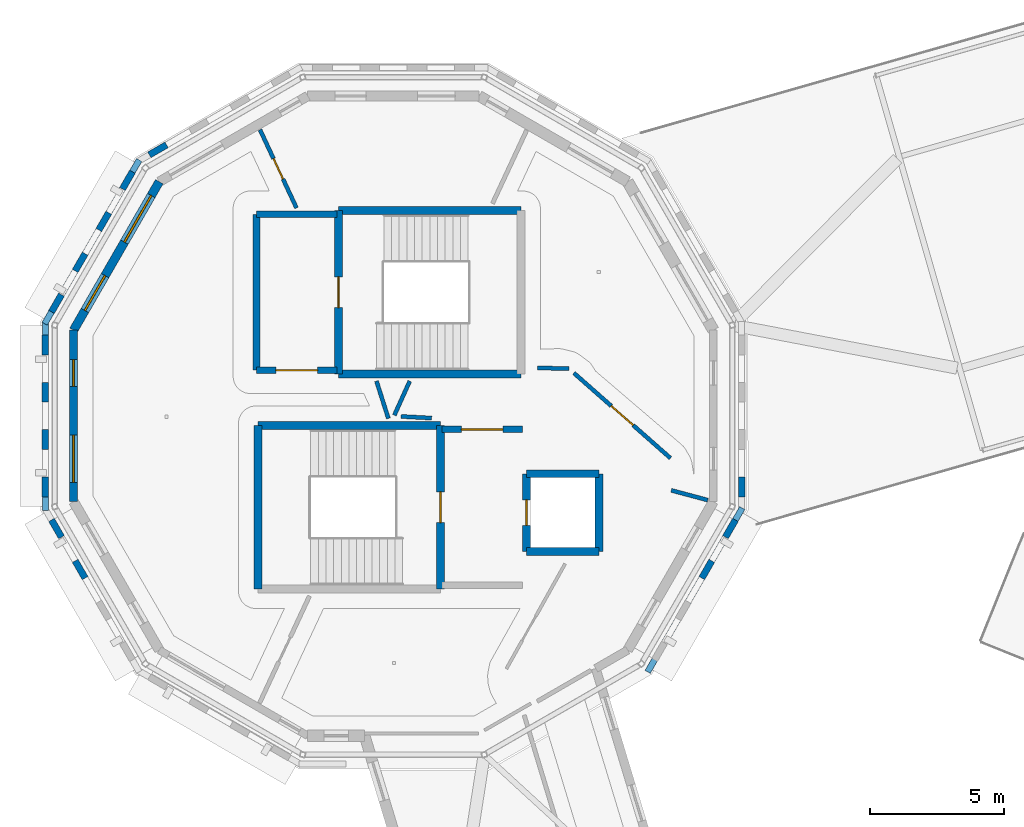
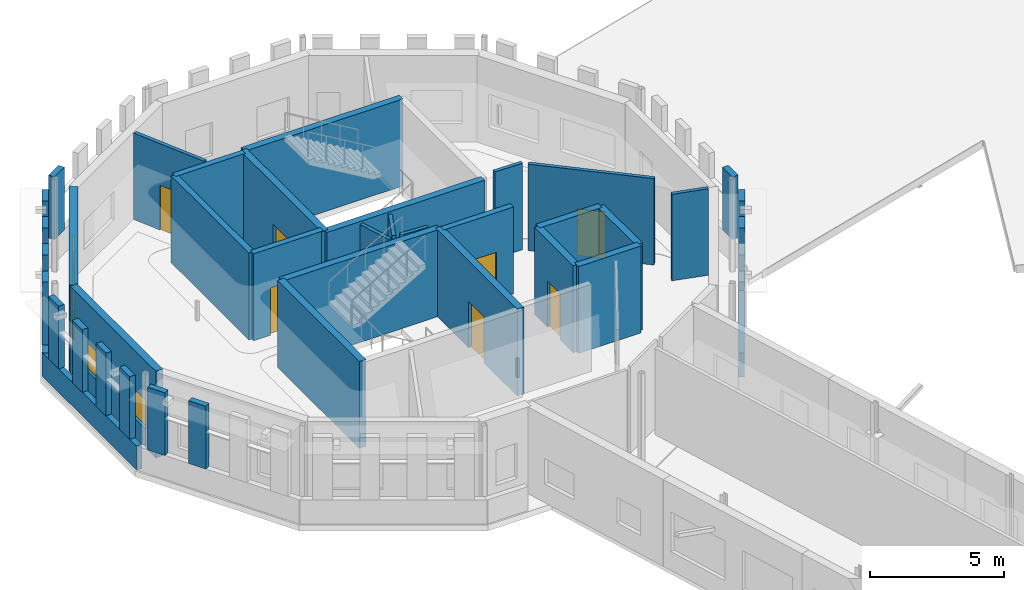
# One storey, part 57 of 90: 40 walls, 7 doors, 4 windows, 11 openings.
"""IFC4 building model written with IfcOpenShell, lengths in metres."""

import ifcopenshell
import ifcopenshell.guid

model = None  # the IFC model being written
_history = None  # IfcOwnerHistory: only IFC2X3 demands one
_inside = {}  # id of a spatial element -> (the spatial element, [elements in it])
_under = {}  # id of a project, library or spatial element -> (it, [spatial elements below it])
_declared = {}  # id of a project -> (the project, [libraries it declares])
_typed = {}  # id of a type object -> (the type object, [elements of that type])
_made_of = {}  # id of a material, layer set ... -> (it, [elements and type objects made of it])


def new_model(schema):
    """Start an empty IFC model of exactly this schema.

    Asked for "IFC4X3", IfcOpenShell would pick the latest addendum, in which some entities
    have other attributes; the version numbers below select the first issue.
    IFC2X3 requires an IfcOwnerHistory on every rooted entity: one is made here for all.
    """
    global model, _history
    if schema == "IFC4X3":
        model = ifcopenshell.file(schema_version=(4, 3, 0, 0))
    else:
        model = ifcopenshell.file(schema=schema)
    _inside.clear()
    _under.clear()
    _declared.clear()
    _typed.clear()
    _made_of.clear()
    _history = None
    if model.schema == "IFC2X3":
        org = make("IfcOrganization", Name="unknown")
        user = make(
            "IfcPersonAndOrganization",
            ThePerson=make("IfcPerson", FamilyName="unknown"),
            TheOrganization=org,
        )
        app = make(
            "IfcApplication",
            ApplicationDeveloper=org,
            Version="unknown",
            ApplicationFullName="unknown",
            ApplicationIdentifier="unknown",
        )
        _history = make(
            "IfcOwnerHistory",
            OwningUser=user,
            OwningApplication=app,
            ChangeAction="ADDED",
            CreationDate=0,
        )
    return model


def make(cls, **values):
    """One entity of the class cls with the attributes given. An attribute that is None is left unset."""
    return model.create_entity(
        cls, **{name: value for name, value in values.items() if value is not None}
    )


def rooted(cls, **values):
    """An entity with a GlobalId (a new one), such as an element, a storey or a relation."""
    return make(cls, GlobalId=ifcopenshell.guid.new(), OwnerHistory=_history, **values)


def si_unit(unit_type, name, prefix=None):
    """IfcSIUnit, for example si_unit("LENGTHUNIT", "METRE", prefix="MILLI")."""
    return make("IfcSIUnit", UnitType=unit_type, Prefix=prefix, Name=name)


def assignment(units):
    """IfcUnitAssignment: the units of a project."""
    return None if units is None else make("IfcUnitAssignment", Units=units)


def point(xyz):
    """IfcCartesianPoint."""
    return None if xyz is None else make("IfcCartesianPoint", Coordinates=xyz)


def direction(xyz):
    """IfcDirection."""
    return None if xyz is None else make("IfcDirection", DirectionRatios=xyz)


def frame(location, z_axis=None, x_axis=None):
    """IfcAxis2Placement3D, a coordinate frame: its origin and axes. An axis left out is left unset."""
    return make(
        "IfcAxis2Placement3D",
        Location=point(location),
        Axis=direction(z_axis),
        RefDirection=direction(x_axis),
    )


def frame_2d(location, x_axis=None):
    """IfcAxis2Placement2D, a coordinate frame in the plane: its origin and x axis."""
    return make(
        "IfcAxis2Placement2D", Location=point(location), RefDirection=direction(x_axis)
    )


def origin():
    """The frame at (0, 0, 0) with its axes left unset."""
    return frame((0.0, 0.0, 0.0))


def place(relative_to, where):
    """IfcLocalPlacement: puts the frame where relative to a parent placement (None: the world)."""
    return make(
        "IfcLocalPlacement", PlacementRelTo=relative_to, RelativePlacement=where
    )


def context(
    kind, dimensions, precision=None, world=None, true_north=None, identifier=None
):
    """IfcGeometricRepresentationContext, for example the 3D "Model" context."""
    return make(
        "IfcGeometricRepresentationContext",
        ContextIdentifier=identifier,
        ContextType=kind,
        CoordinateSpaceDimension=dimensions,
        Precision=precision,
        WorldCoordinateSystem=world,
        TrueNorth=true_north,
    )


def subcontext(parent, identifier, kind, view, scale=None):
    """IfcGeometricRepresentationSubContext, for example "Body" below "Model"."""
    return make(
        "IfcGeometricRepresentationSubContext",
        ContextIdentifier=identifier,
        ContextType=kind,
        ParentContext=parent,
        TargetScale=scale,
        TargetView=view,
    )


def project(units=None, contexts=None):
    """IfcProject with its units and contexts."""
    return rooted(
        "IfcProject",
        Name="project",
        RepresentationContexts=contexts,
        UnitsInContext=assignment(units),
    )


def spatial(cls, under=None, at=None, **own):
    """A site, building, storey or space (cls), placed at a placement, below another one or the project."""
    s = rooted(cls, ObjectPlacement=at, **own)
    if under is not None:
        _under.setdefault(under.id(), (under, []))[1].append(s)
    return s


def profile(cls, at=None, kind="AREA", **sizes):
    """A parametric profile (cls). Its sizes go by their IFC names, for example OverallWidth=200.0."""
    return make(cls, ProfileType=kind, Position=at, **sizes)


def rectangle(**sizes):
    """IfcRectangleProfileDef."""
    return profile("IfcRectangleProfileDef", **sizes)


def extrude(swept, where, along, depth):
    """IfcExtrudedAreaSolid: the profile swept, set in the frame where, extruded along a direction by depth."""
    return make(
        "IfcExtrudedAreaSolid",
        SweptArea=swept,
        Position=where,
        ExtrudedDirection=direction(along),
        Depth=depth,
    )


def shape(context_of_items, identifier, shape_type, items):
    """IfcShapeRepresentation: the items that make up one representation, for example the "Body"."""
    return make(
        "IfcShapeRepresentation",
        ContextOfItems=context_of_items,
        RepresentationIdentifier=identifier,
        RepresentationType=shape_type,
        Items=items,
    )


def material(Name=None, Category=None):
    """IfcMaterial."""
    return make("IfcMaterial", Name=Name, Category=Category)


def layer(
    of_material, thickness, ventilated=None, Name=None, Category=None, Priority=None
):
    """IfcMaterialLayer: one layer of a wall or slab, of a material (None: an air gap)."""
    return make(
        "IfcMaterialLayer",
        Material=of_material,
        LayerThickness=thickness,
        IsVentilated=ventilated,
        Name=Name,
        Category=Category,
        Priority=Priority,
    )


def layer_set(layers, Name=None):
    """IfcMaterialLayerSet."""
    return make("IfcMaterialLayerSet", MaterialLayers=layers, LayerSetName=Name)


def made_of(thing, what):
    """Note that an element or type object is made of a material, layer set ...; save() writes the relation."""
    if what is not None:
        _made_of.setdefault(what.id(), (what, []))[1].append(thing)
    return thing


def type_object(cls, material=None, **own):
    """A type object (cls), such as IfcWallType, which elements share."""
    return made_of(rooted(cls, **own), material)


def element(
    cls,
    number,
    at=None,
    inside=None,
    cuts=None,
    type_object=None,
    material=None,
    context=None,
    identifier="Body",
    shape_type=None,
    held_by="IfcProductDefinitionShape",
    body=None,
    shapes=None,
    **own,
):
    """One element of the class cls, such as IfcWall. Its Tag is "e" and its number.

    at: its placement. inside: the storey or other place that contains it. cuts: it is an
    opening in that element (IfcRelVoidsElement). A single representation is given by context,
    identifier, shape_type and body (its items); several are given by shapes. held_by: the class
    of the entity that holds the representations. save() writes the other relations.
    """
    e = rooted(cls, Tag="e%d" % number, ObjectPlacement=at, **own)
    if body is not None:
        shapes = [shape(context, identifier, shape_type, body)]
    if shapes is not None:
        e.Representation = make(held_by, Representations=shapes)
    if inside is not None:
        _inside.setdefault(inside.id(), (inside, []))[1].append(e)
    if cuts is not None:
        rooted(
            "IfcRelVoidsElement", RelatingBuildingElement=cuts, RelatedOpeningElement=e
        )
    if type_object is not None:
        _typed.setdefault(type_object.id(), (type_object, []))[1].append(e)
    return made_of(e, material)


def fill(opening, filler):
    """IfcRelFillsElement: the door or window that sits in an opening."""
    return rooted(
        "IfcRelFillsElement",
        RelatingOpeningElement=opening,
        RelatedBuildingElement=filler,
    )


def aggregate(whole, parts):
    """IfcRelAggregates: a whole, such as a stair, and the parts it consists of."""
    return rooted("IfcRelAggregates", RelatingObject=whole, RelatedObjects=parts)


def save(model, path):
    """Write the relations noted so far, then the file.

    IfcRelAggregates (storeys below a building ...), IfcRelContainedInSpatialStructure (elements
    in a storey), IfcRelDefinesByType, IfcRelAssociatesMaterial and IfcRelDeclares: one each for
    every whole, place, type object, material and project.
    """
    for whole, parts in _under.values():
        aggregate(whole, parts)
    for where, things in _inside.values():
        rooted(
            "IfcRelContainedInSpatialStructure",
            RelatedElements=things,
            RelatingStructure=where,
        )
    for kind, things in _typed.values():
        rooted("IfcRelDefinesByType", RelatedObjects=things, RelatingType=kind)
    for what, things in _made_of.values():
        rooted("IfcRelAssociatesMaterial", RelatedObjects=things, RelatingMaterial=what)
    for by, libraries in _declared.values():
        rooted("IfcRelDeclares", RelatingContext=by, RelatedDefinitions=libraries)
    model.write(path)


model = new_model("IFC4")

# Units and contexts
model_context = context("Model", 3, precision=1e-05, world=origin(), true_north=direction((0.0, 1.0)))
body_context = subcontext(model_context, "Body", "Model", "MODEL_VIEW")
ifc_project = project(units=[si_unit("LENGTHUNIT", "METRE"), si_unit("AREAUNIT", "SQUARE_METRE"), si_unit("VOLUMEUNIT", "CUBIC_METRE"), si_unit("PLANEANGLEUNIT", "RADIAN"), si_unit("MASSUNIT", "GRAM", prefix="KILO")], contexts=[model_context])

# Site, building, storey
site_placement = place(None, origin())
site = spatial("IfcSite", under=ifc_project, at=site_placement, CompositionType="ELEMENT")
building_placement = place(site_placement, origin())
building = spatial("IfcBuilding", under=site, at=building_placement, Name="Wrenclough Park School", CompositionType="ELEMENT")
storey_placement = place(building_placement, frame((0.0, 0.0, 8.39990234375)))
storey = spatial("IfcBuildingStorey", under=building, at=storey_placement, Name="L02", CompositionType="ELEMENT", Elevation=8.39990234375)

# Walls
ifc_material_1 = material(Name="Perforated open-bond Staffordshire and Manchester brick screen pier", Category="masonry")
ifc_layer_1 = layer(ifc_material_1, 0.2451171875)
ifc_layer_set_1 = layer_set([ifc_layer_1], Name="Perforated open-bond Staffordshire and Manchester brick screen pier")
wall_type_1 = type_object("IfcWallType", Name="ENV-BS-PR245", PredefinedType="ELEMENTEDWALL", material=ifc_layer_set_1)
for number, where, z_axis, x_axis, name in (
    (1, (8.055419921875, 99.58544921875, 1.090087890625), (0.0, 0.0, 1.0), (-0.866141586746, -0.499798711192, 0.0), "D3 L02 perforated brick screen pier 0520"),
    (2, (6.783935546875, 98.584716796875, 1.090087890625), (0.0, 0.0, 1.0), (-0.499798711192, -0.866141586746, 0.0), "D3 L02 perforated brick screen pier 0521"),
    (3, (5.904052734375, 97.060302734375, 1.090087890625), (0.0, 0.0, 1.0), (-0.500189527592, -0.865915952323, 0.0), "D3 L02 perforated brick screen pier 0522"),
):
    element("IfcWall", number, at=place(storey_placement, frame(where, z_axis=z_axis, x_axis=x_axis)), inside=storey, type_object=wall_type_1, Name=name, PredefinedType="ELEMENTEDWALL", context=body_context, shape_type="SweptSolid", body=[
        extrude(rectangle(XDim=0.739013671875, YDim=0.2451171875, at=frame_2d((0.36962890625, 0.0))), origin(), (0.0, 0.0, 1.0), 2.85009765625),
    ])
wall_1_placement = place(storey_placement, frame((5.02392578125, 95.5361328125, 1.090087890625), z_axis=(0.0, 0.0, 1.0), x_axis=(-0.499941746681, -0.866059033742, 0.0)))
element("IfcWall", 4, at=wall_1_placement, inside=storey, type_object=wall_type_1, Name="D3 L02 perforated brick screen pier 0523", PredefinedType="ELEMENTEDWALL", context=body_context, shape_type="SweptSolid", body=[
    extrude(rectangle(XDim=0.73876953125, YDim=0.2451171875, at=frame_2d((0.369384765625, 0.0))), origin(), (0.0, 0.0, 1.0), 2.85009765625),
])
for number, where, z_axis, x_axis, name in (
    (5, (4.14404296875, 94.011962890625, 1.090087890625), (0.0, 0.0, 1.0), (-0.500189527592, -0.865915952323, 0.0), "D3 L02 perforated brick screen pier 0524"),
    (6, (3.54345703125, 92.509521484375, 1.090087890625), (0.0, 0.0, 1.0), (0.0, -1.0, 0.0), "D3 L02 perforated brick screen pier 0525"),
    (7, (3.54345703125, 90.74951171875, 1.090087890625), (0.0, 0.0, 1.0), (0.0, -1.0, 0.0), "D3 L02 perforated brick screen pier 0526"),
    (8, (3.54345703125, 88.989501953125, 1.090087890625), (0.0, 0.0, 1.0), (0.0, -1.0, 0.0), "D3 L02 perforated brick screen pier 0527"),
    (9, (3.54345703125, 87.2294921875, 1.090087890625), (0.0, 0.0, 1.0), (0.0, -1.0, 0.0), "D3 L02 perforated brick screen pier 0528"),
    (10, (3.7744140625, 85.6279296875, 1.090087890625), (0.0, 0.0, 1.0), (0.500189527592, -0.865915952323, 0.0), "D3 L02 perforated brick screen pier 0529"),
):
    element("IfcWall", number, at=place(storey_placement, frame(where, z_axis=z_axis, x_axis=x_axis)), inside=storey, type_object=wall_type_1, Name=name, PredefinedType="ELEMENTEDWALL", context=body_context, shape_type="SweptSolid", body=[
        extrude(rectangle(XDim=0.739013671875, YDim=0.2451171875, at=frame_2d((0.36962890625, 0.0))), origin(), (0.0, 0.0, 1.0), 2.85009765625),
    ])
for number, where, z_axis, x_axis, name in (
    (11, (4.654541015625, 84.103759765625, 1.090087890625), (0.0, 0.0, 1.0), (0.499941746681, -0.866059033742, 0.0), "D3 L02 perforated brick screen pier 0530"),
    (12, (27.97607421875, 83.4638671875, 1.090087890625), (0.0, 0.0, 1.0), (0.499941746681, 0.866059033742, 0.0), "D3 L02 perforated brick screen pier 0539"),
):
    element("IfcWall", number, at=place(storey_placement, frame(where, z_axis=z_axis, x_axis=x_axis)), inside=storey, type_object=wall_type_1, Name=name, PredefinedType="ELEMENTEDWALL", context=body_context, shape_type="SweptSolid", body=[
        extrude(rectangle(XDim=0.73876953125, YDim=0.2451171875, at=frame_2d((0.369384765625, 0.0))), origin(), (0.0, 0.0, 1.0), 2.85009765625),
    ])
for number, where, z_axis, x_axis, name in (
    (13, (28.85595703125, 84.988037109375, 1.090087890625), (0.0, 0.0, 1.0), (0.500189527592, 0.865915952323, 0.0), "D3 L02 perforated brick screen pier 0540"),
    (14, (29.45654296875, 86.490478515625, 1.090087890625), (0.0, 0.0, 1.0), (0.0, 1.0, 0.0), "D3 L02 perforated brick screen pier 0541"),
):
    element("IfcWall", number, at=place(storey_placement, frame(where, z_axis=z_axis, x_axis=x_axis)), inside=storey, type_object=wall_type_1, Name=name, PredefinedType="ELEMENTEDWALL", context=body_context, shape_type="SweptSolid", body=[
        extrude(rectangle(XDim=0.739013671875, YDim=0.2451171875, at=frame_2d((0.36962890625, 0.0))), origin(), (0.0, 0.0, 1.0), 2.85009765625),
    ])
ifc_material_2 = material(Name="Open-bond Manchester multi-stock brick spandrel screen", Category="masonry")
ifc_layer_2 = layer(ifc_material_2, 0.22509765625)
ifc_layer_set_2 = layer_set([ifc_layer_2], Name="Open-bond Manchester multi-stock brick spandrel screen")
wall_type_2 = type_object("IfcWallType", Name="ENV-BS-SP225", PredefinedType="ELEMENTEDWALL", material=ifc_layer_set_2)
wall_2_placement = place(storey_placement, frame((7.039306640625, 99.026611328125, 0.0), z_axis=(0.0, 0.0, 1.0), x_axis=(-0.500010639957, -0.866019260715, 0.0)))
element("IfcWall", 15, at=wall_2_placement, inside=storey, type_object=wall_type_2, Name="D3 L02 open-bond brick screen spandrel 0141", PredefinedType="ELEMENTEDWALL", context=body_context, shape_type="SweptSolid", body=[
    extrude(rectangle(XDim=7.039794921875, YDim=0.22509765625, at=frame_2d((3.52001953125, 0.0))), origin(), (0.0, 0.0, 1.0), 1.090087890625),
])
wall_3_placement = place(storey_placement, frame((3.54345703125, 93.02001953125, 0.0), z_axis=(0.0, 0.0, 1.0), x_axis=(0.0, -1.0, 0.0)))
element("IfcWall", 16, at=wall_3_placement, inside=storey, type_object=wall_type_2, Name="D3 L02 open-bond brick screen spandrel 0142", PredefinedType="ELEMENTEDWALL", context=body_context, shape_type="SweptSolid", body=[
    extrude(rectangle(XDim=7.0400390625, YDim=0.22509765625, at=frame_2d((3.52001953125, 0.0))), origin(), (0.0, 0.0, 1.0), 1.090087890625),
])
wall_4_placement = place(storey_placement, frame((25.960693359375, 79.973388671875, 0.0), z_axis=(0.0, 0.0, 1.0), x_axis=(0.500010639957, 0.866019260715, 0.0)))
element("IfcWall", 17, at=wall_4_placement, inside=storey, type_object=wall_type_2, Name="D3 L02 open-bond brick screen spandrel 0146", PredefinedType="ELEMENTEDWALL", context=body_context, shape_type="SweptSolid", body=[
    extrude(rectangle(XDim=7.039794921875, YDim=0.22509765625, at=frame_2d((3.52001953125, 0.0))), origin(), (0.0, 0.0, 1.0), 1.090087890625),
])

# Wall, openings, windows
ifc_material_3 = material(Name="Manchester multi-stock brick and Concrete C32/40 inner leaf", Category="masonry")
ifc_layer_3 = layer(ifc_material_3, 0.300048828125)
ifc_layer_set_3 = layer_set([ifc_layer_3], Name="Manchester multi-stock brick and Concrete C32/40 inner leaf")
wall_type_3 = type_object("IfcWallType", Name="ENV-EW-300", PredefinedType="SOLIDWALL", material=ifc_layer_set_3)
wall_5_placement = place(storey_placement, frame((4.59423828125, 86.309814453125, 0.0), z_axis=(0.0, 0.0, 1.0), x_axis=(0.0, 1.0, 0.0)))
wall_5 = element("IfcWall", 18, at=wall_5_placement, inside=storey, type_object=wall_type_3, Name="L02 insulated brick external wall 0232", PredefinedType="SOLIDWALL", context=body_context, shape_type="SweptSolid", body=[
    extrude(rectangle(XDim=6.38037109375, YDim=0.300048828125, at=frame_2d((3.190185546875, 0.0))), origin(), (0.0, 0.0, 1.0), 3.940185546875),
])
opening_1_placement = place(wall_5_placement, frame((0.72021484375, 0.0, 0.85009765625)))
opening_1 = element("IfcOpeningElement", 19, at=opening_1_placement, cuts=wall_5, Name="Opening WN-44", PredefinedType="OPENING", context=body_context, shape_type="SweptSolid", body=[
    extrude(rectangle(XDim=1.75, YDim=1.300048828125, at=frame_2d((0.875, 0.64990234375))), frame((0.0, 0.159912109375, 0.0), z_axis=(0.0, -1.0, 0.0), x_axis=(1.0, 0.0, 0.0)), (0.0, 0.0, 1.0), 0.320068359375),
])
opening_2_placement = place(wall_5_placement, frame((4.285400390625, 0.0, 0.85009765625)))
opening_2 = element("IfcOpeningElement", 20, at=opening_2_placement, cuts=wall_5, Name="Opening WN-45", PredefinedType="OPENING", context=body_context, shape_type="SweptSolid", body=[
    extrude(rectangle(XDim=1.0, YDim=1.300048828125, at=frame_2d((0.5, 0.64990234375))), frame((0.0, 0.159912109375, 0.0), z_axis=(0.0, -1.0, 0.0), x_axis=(1.0, 0.0, 0.0)), (0.0, 0.0, 1.0), 0.320068359375),
])
ifc_material_4 = material(Name="Thermally broken aluminium and double-glazed low-e glass", Category="aluminium")
window_type_1 = type_object("IfcWindowType", Name="ENV-WN-44", PartitioningType="DOUBLE_PANEL_VERTICAL", PredefinedType="WINDOW", material=ifc_material_4)
window_1_placement = place(opening_1_placement, origin())
window_1 = element("IfcWindow", 21, at=window_1_placement, inside=storey, type_object=window_type_1, Name="L02 scheduled facade window 0379", OverallHeight=1.300048828125, OverallWidth=1.75, PartitioningType="SINGLE_PANEL", PredefinedType="WINDOW", context=body_context, shape_type="SweptSolid", body=[
    extrude(rectangle(XDim=1.75, YDim=1.300048828125, at=frame_2d((0.875, 0.64990234375))), frame((0.0, 0.030029296875, 0.0), z_axis=(0.0, -1.0, 0.0), x_axis=(1.0, 0.0, 0.0)), (0.0, 0.0, 1.0), 0.06005859375),
])
fill(opening_1, window_1)
window_type_2 = type_object("IfcWindowType", Name="ENV-WN-45", PartitioningType="SINGLE_PANEL", PredefinedType="WINDOW", material=ifc_material_4)
window_2_placement = place(opening_2_placement, origin())
window_2 = element("IfcWindow", 22, at=window_2_placement, inside=storey, type_object=window_type_2, Name="L02 scheduled facade window 0380", OverallHeight=1.300048828125, OverallWidth=1.0, PartitioningType="SINGLE_PANEL", PredefinedType="WINDOW", context=body_context, shape_type="SweptSolid", body=[
    extrude(rectangle(XDim=1.0, YDim=1.300048828125, at=frame_2d((0.5, 0.64990234375))), frame((0.0, 0.030029296875, 0.0), z_axis=(0.0, -1.0, 0.0), x_axis=(1.0, 0.0, 0.0)), (0.0, 0.0, 1.0), 0.06005859375),
])
fill(opening_2, window_2)

ifc_layer_4 = layer(ifc_material_3, 0.324951171875)
ifc_layer_set_4 = layer_set([ifc_layer_4], Name="Manchester multi-stock brick and Concrete C32/40 inner leaf")
wall_type_4 = type_object("IfcWallType", Name="ENV-EW-325", PredefinedType="SOLIDWALL", material=ifc_layer_set_4)
wall_6_placement = place(storey_placement, frame((4.59423828125, 92.690185546875, 0.0), z_axis=(0.0, 0.0, 1.0), x_axis=(0.499966461314, 0.866044766488, 0.0)))
wall_6 = element("IfcWall", 23, at=wall_6_placement, inside=storey, type_object=wall_type_4, Name="L02 insulated brick external wall 0233", PredefinedType="SOLIDWALL", context=body_context, shape_type="SweptSolid", body=[
    extrude(rectangle(XDim=6.38037109375, YDim=0.324951171875, at=frame_2d((3.190185546875, 0.0))), origin(), (0.0, 0.0, 1.0), 3.940185546875),
])
opening_3_placement = place(wall_6_placement, frame((0.84521484375, 0.0, 0.85009765625)))
opening_3 = element("IfcOpeningElement", 24, at=opening_3_placement, cuts=wall_6, Name="Opening WN-46", PredefinedType="OPENING", context=body_context, shape_type="SweptSolid", body=[
    extrude(rectangle(XDim=1.5, YDim=1.300048828125, at=frame_2d((0.75, 0.64990234375))), frame((0.0, 0.17236328125, 0.0), z_axis=(0.0, -1.0, 0.0), x_axis=(1.0, 0.0, 0.0)), (0.0, 0.0, 1.0), 0.344970703125),
])
opening_4_placement = place(wall_6_placement, frame((3.78515625, 0.0, 0.85009765625)))
opening_4 = element("IfcOpeningElement", 25, at=opening_4_placement, cuts=wall_6, Name="Opening WN-47", PredefinedType="OPENING", context=body_context, shape_type="SweptSolid", body=[
    extrude(rectangle(XDim=2.0, YDim=1.300048828125, at=frame_2d((1.0, 0.64990234375))), frame((0.0, 0.17236328125, 0.0), z_axis=(0.0, -1.0, 0.0), x_axis=(1.0, 0.0, 0.0)), (0.0, 0.0, 1.0), 0.344970703125),
])
window_type_3 = type_object("IfcWindowType", Name="ENV-WN-46", PartitioningType="DOUBLE_PANEL_VERTICAL", PredefinedType="WINDOW", material=ifc_material_4)
window_3_placement = place(opening_3_placement, origin())
window_3 = element("IfcWindow", 26, at=window_3_placement, inside=storey, type_object=window_type_3, Name="L02 scheduled facade window 0381", OverallHeight=1.300048828125, OverallWidth=1.5, PartitioningType="SINGLE_PANEL", PredefinedType="WINDOW", context=body_context, shape_type="SweptSolid", body=[
    extrude(rectangle(XDim=1.5, YDim=1.300048828125, at=frame_2d((0.75, 0.64990234375))), frame((0.0, 0.030029296875, 0.0), z_axis=(0.0, -1.0, 0.0), x_axis=(1.0, 0.0, 0.0)), (0.0, 0.0, 1.0), 0.06005859375),
])
fill(opening_3, window_3)
window_type_4 = type_object("IfcWindowType", Name="ENV-WN-47", PartitioningType="DOUBLE_PANEL_VERTICAL", PredefinedType="WINDOW", material=ifc_material_4)
window_4_placement = place(opening_4_placement, origin())
window_4 = element("IfcWindow", 27, at=window_4_placement, inside=storey, type_object=window_type_4, Name="L02 scheduled facade window 0382", OverallHeight=1.300048828125, OverallWidth=2.0, PartitioningType="SINGLE_PANEL", PredefinedType="WINDOW", context=body_context, shape_type="SweptSolid", body=[
    extrude(rectangle(XDim=2.0, YDim=1.300048828125, at=frame_2d((1.0, 0.64990234375))), frame((0.0, 0.030029296875, 0.0), z_axis=(0.0, -1.0, 0.0), x_axis=(1.0, 0.0, 0.0)), (0.0, 0.0, 1.0), 0.06005859375),
])
fill(opening_4, window_4)

# Wall, opening, door
ifc_material_5 = material(Name="Concrete C35/45", Category="concrete")
ifc_layer_5 = layer(ifc_material_5, 0.25)
ifc_layer_set_5 = layer_set([ifc_layer_5], Name="Concrete C35/45")
wall_type_5 = type_object("IfcWallType", Name="INT-CW-250", PredefinedType="SHEAR", material=ifc_layer_set_5)
wall_7_placement = place(storey_placement, frame((21.300048828125, 89.0, 0.0), z_axis=(0.0, 0.0, 1.0), x_axis=(-1.0, 0.0, 0.0)))
wall_7 = element("IfcWall", 28, at=wall_7_placement, inside=storey, type_object=wall_type_5, Name="Core C3 L02 lobby fire wall north", PredefinedType="SHEAR", context=body_context, shape_type="SweptSolid", body=[
    extrude(rectangle(XDim=3.0, YDim=0.25, at=frame_2d((1.5, 0.0))), origin(), (0.0, 0.0, 1.0), 3.9501953125),
])
opening_5_placement = place(wall_7_placement, frame((0.72509765625, 0.0, 0.0)))
opening_5 = element("IfcOpeningElement", 29, at=opening_5_placement, cuts=wall_7, Name="Opening DLB-C3-L02", PredefinedType="OPENING", context=body_context, shape_type="SweptSolid", body=[
    extrude(rectangle(XDim=1.550048828125, YDim=2.14990234375, at=frame_2d((0.77490234375, 1.074951171875))), frame((0.0, 0.135009765625, 0.0), z_axis=(0.0, -1.0, 0.0), x_axis=(1.0, 0.0, 0.0)), (0.0, 0.0, 1.0), 0.27001953125),
])
ifc_material_6 = material(Name="Protected stair lobby double fire door assembly", Category="wood")
door_type_1 = type_object("IfcDoorType", Name="INT-DR-LB155", OperationType="NOTDEFINED", PredefinedType="DOOR", material=ifc_material_6)
door_1_placement = place(opening_5_placement, origin())
door_1 = element("IfcDoor", 30, at=door_1_placement, inside=storey, type_object=door_type_1, Name="Core C3 L02 protected lobby fire door", OperationType="DOUBLE_DOOR_SINGLE_SWING", OverallHeight=2.14990234375, OverallWidth=1.550048828125, PredefinedType="DOOR", context=body_context, shape_type="SweptSolid", body=[
    extrude(rectangle(XDim=1.550048828125, YDim=2.14990234375, at=frame_2d((0.77490234375, 1.074951171875))), frame((0.0, 0.02490234375, 0.0), z_axis=(0.0, -1.0, 0.0), x_axis=(1.0, 0.0, 0.0)), (0.0, 0.0, 1.0), 0.050048828125),
])
fill(opening_5, door_1)

wall_8_placement = place(storey_placement, frame((11.39990234375, 91.199951171875, 0.0), z_axis=(0.0, 0.0, 1.0), x_axis=(1.0, 0.0, 0.0)))
wall_8 = element("IfcWall", 31, at=wall_8_placement, inside=storey, type_object=wall_type_5, Name="Core C3B L02 lobby fire wall south", PredefinedType="SHEAR", context=body_context, shape_type="SweptSolid", body=[
    extrude(rectangle(XDim=3.0, YDim=0.25, at=frame_2d((1.5, 0.0))), origin(), (0.0, 0.0, 1.0), 3.9501953125),
])
opening_6_placement = place(wall_8_placement, frame((0.72509765625, 0.0, 0.0)))
opening_6 = element("IfcOpeningElement", 32, at=opening_6_placement, cuts=wall_8, Name="Opening DLB-C3B-L02", PredefinedType="OPENING", context=body_context, shape_type="SweptSolid", body=[
    extrude(rectangle(XDim=1.550048828125, YDim=2.14990234375, at=frame_2d((0.77490234375, 1.074951171875))), frame((0.0, 0.135009765625, 0.0), z_axis=(0.0, -1.0, 0.0), x_axis=(1.0, 0.0, 0.0)), (0.0, 0.0, 1.0), 0.27001953125),
])
door_2_placement = place(opening_6_placement, origin())
door_2 = element("IfcDoor", 33, at=door_2_placement, inside=storey, type_object=door_type_1, Name="Core C3B L02 protected lobby fire door", OperationType="DOUBLE_DOOR_SINGLE_SWING", OverallHeight=2.14990234375, OverallWidth=1.550048828125, PredefinedType="DOOR", context=body_context, shape_type="SweptSolid", body=[
    extrude(rectangle(XDim=1.550048828125, YDim=2.14990234375, at=frame_2d((0.77490234375, 1.074951171875))), frame((0.0, 0.02490234375, 0.0), z_axis=(0.0, -1.0, 0.0), x_axis=(1.0, 0.0, 0.0)), (0.0, 0.0, 1.0), 0.050048828125),
])
fill(opening_6, door_2)

# Walls
wall_9_placement = place(storey_placement, frame((14.39990234375, 97.0, 0.0), z_axis=(0.0, 0.0, 1.0), x_axis=(-1.0, 0.0, 0.0)))
element("IfcWall", 34, at=wall_9_placement, inside=storey, type_object=wall_type_5, Name="Core C3B L02 lobby fire wall north", PredefinedType="SHEAR", context=body_context, shape_type="SweptSolid", body=[
    extrude(rectangle(XDim=3.0, YDim=0.25, at=frame_2d((1.5, 0.0))), origin(), (0.0, 0.0, 1.0), 3.9501953125),
])
wall_10_placement = place(storey_placement, frame((11.39990234375, 97.0, 0.0), z_axis=(0.0, 0.0, 1.0), x_axis=(0.0, -1.0, 0.0)))
element("IfcWall", 35, at=wall_10_placement, inside=storey, type_object=wall_type_5, Name="Core C3B L02 lobby fire wall west", PredefinedType="SHEAR", context=body_context, shape_type="SweptSolid", body=[
    extrude(rectangle(XDim=5.800048828125, YDim=0.25, at=frame_2d((2.89990234375, 0.0))), origin(), (0.0, 0.0, 1.0), 3.9501953125),
])

# Wall, opening, door
ifc_material_7 = material(Name="Concrete C40/50", Category="concrete")
ifc_layer_6 = layer(ifc_material_7, 0.2900390625)
ifc_layer_set_6 = layer_set([ifc_layer_6], Name="Concrete C40/50")
wall_type_6 = type_object("IfcWallType", Name="INT-CW-290", PredefinedType="SHEAR", material=ifc_layer_set_6)
wall_11_placement = place(storey_placement, frame((18.2451171875, 83.054931640625, 0.0), z_axis=(0.0, 0.0, 1.0), x_axis=(0.0, 1.0, 0.0)))
wall_11 = element("IfcWall", 36, at=wall_11_placement, inside=storey, type_object=wall_type_6, Name="Core C3 L02 east shear wall", PredefinedType="SHEAR", context=body_context, shape_type="SweptSolid", body=[
    extrude(rectangle(XDim=6.090087890625, YDim=0.2900390625, at=frame_2d((3.044921875, 0.0))), origin(), (0.0, 0.0, 1.0), 3.9501953125),
])
opening_7_placement = place(wall_11_placement, frame((2.469970703125, 0.0, 0.0)))
opening_7 = element("IfcOpeningElement", 37, at=opening_7_placement, cuts=wall_11, Name="Opening DST-C3-L02", PredefinedType="OPENING", context=body_context, shape_type="SweptSolid", body=[
    extrude(rectangle(XDim=1.14990234375, YDim=2.10009765625, at=frame_2d((0.574951171875, 1.050048828125))), frame((0.0, 0.155029296875, 0.0), z_axis=(0.0, -1.0, 0.0), x_axis=(1.0, 0.0, 0.0)), (0.0, 0.0, 1.0), 0.31005859375),
])
ifc_material_8 = material(Name="Protected escape stair single fire door assembly", Category="wood")
door_type_2 = type_object("IfcDoorType", Name="INT-DR-ST115", OperationType="NOTDEFINED", PredefinedType="DOOR", material=ifc_material_8)
door_3_placement = place(opening_7_placement, origin())
door_3 = element("IfcDoor", 38, at=door_3_placement, inside=storey, type_object=door_type_2, Name="Stair ST-03 L02 fire door", OperationType="SINGLE_SWING_LEFT", OverallHeight=2.10009765625, OverallWidth=1.14990234375, PredefinedType="DOOR", context=body_context, shape_type="SweptSolid", body=[
    extrude(rectangle(XDim=1.14990234375, YDim=2.10009765625, at=frame_2d((0.574951171875, 1.050048828125))), frame((0.0, 0.02490234375, 0.0), z_axis=(0.0, -1.0, 0.0), x_axis=(1.0, 0.0, 0.0)), (0.0, 0.0, 1.0), 0.050048828125),
])
fill(opening_7, door_3)

# Walls
wall_12_placement = place(storey_placement, frame((18.2451171875, 89.14501953125, 0.0), z_axis=(0.0, 0.0, 1.0), x_axis=(-1.0, 0.0, 0.0)))
element("IfcWall", 39, at=wall_12_placement, inside=storey, type_object=wall_type_6, Name="Core C3 L02 north shear wall", PredefinedType="SHEAR", context=body_context, shape_type="SweptSolid", body=[
    extrude(rectangle(XDim=6.7900390625, YDim=0.2900390625, at=frame_2d((3.39501953125, 0.0))), origin(), (0.0, 0.0, 1.0), 3.9501953125),
])
wall_13_placement = place(storey_placement, frame((11.455078125, 89.14501953125, 0.0), z_axis=(0.0, 0.0, 1.0), x_axis=(0.0, -1.0, 0.0)))
element("IfcWall", 40, at=wall_13_placement, inside=storey, type_object=wall_type_6, Name="Core C3 L02 west shear wall", PredefinedType="SHEAR", context=body_context, shape_type="SweptSolid", body=[
    extrude(rectangle(XDim=6.090087890625, YDim=0.2900390625, at=frame_2d((3.044921875, 0.0))), origin(), (0.0, 0.0, 1.0), 3.9501953125),
])
wall_14_placement = place(storey_placement, frame((21.455078125, 84.455078125, 0.0), z_axis=(0.0, 0.0, 1.0), x_axis=(1.0, 0.0, 0.0)))
element("IfcWall", 41, at=wall_14_placement, inside=storey, type_object=wall_type_6, Name="Lift LFT-05 L02 south shaft wall", PredefinedType="SHEAR", context=body_context, shape_type="SweptSolid", body=[
    extrude(rectangle(XDim=2.68994140625, YDim=0.2900390625, at=frame_2d((1.344970703125, 0.0))), origin(), (0.0, 0.0, 1.0), 3.9501953125),
])
wall_15_placement = place(storey_placement, frame((24.14501953125, 84.455078125, 0.0), z_axis=(0.0, 0.0, 1.0), x_axis=(0.0, 1.0, 0.0)))
element("IfcWall", 42, at=wall_15_placement, inside=storey, type_object=wall_type_6, Name="Lift LFT-05 L02 east shaft wall", PredefinedType="SHEAR", context=body_context, shape_type="SweptSolid", body=[
    extrude(rectangle(XDim=2.889892578125, YDim=0.2900390625, at=frame_2d((1.44482421875, 0.0))), origin(), (0.0, 0.0, 1.0), 3.9501953125),
])
wall_16_placement = place(storey_placement, frame((24.14501953125, 87.344970703125, 0.0), z_axis=(0.0, 0.0, 1.0), x_axis=(-1.0, 0.0, 0.0)))
element("IfcWall", 43, at=wall_16_placement, inside=storey, type_object=wall_type_6, Name="Lift LFT-05 L02 north shaft wall", PredefinedType="SHEAR", context=body_context, shape_type="SweptSolid", body=[
    extrude(rectangle(XDim=2.68994140625, YDim=0.2900390625, at=frame_2d((1.344970703125, 0.0))), origin(), (0.0, 0.0, 1.0), 3.9501953125),
])

# Wall, opening, door
wall_17_placement = place(storey_placement, frame((21.455078125, 87.344970703125, 0.0), z_axis=(0.0, 0.0, 1.0), x_axis=(0.0, -1.0, 0.0)))
wall_17 = element("IfcWall", 44, at=wall_17_placement, inside=storey, type_object=wall_type_6, Name="Lift LFT-05 L02 west shaft wall", PredefinedType="SHEAR", context=body_context, shape_type="SweptSolid", body=[
    extrude(rectangle(XDim=2.889892578125, YDim=0.2900390625, at=frame_2d((1.44482421875, 0.0))), origin(), (0.0, 0.0, 1.0), 3.9501953125),
])
opening_8_placement = place(wall_17_placement, frame((0.969970703125, 0.0, 0.0)))
opening_8 = element("IfcOpeningElement", 45, at=opening_8_placement, cuts=wall_17, Name="Opening LD-05-L02", PredefinedType="OPENING", context=body_context, shape_type="SweptSolid", body=[
    extrude(rectangle(XDim=0.949951171875, YDim=2.10009765625, at=frame_2d((0.47509765625, 1.050048828125))), frame((0.0, 0.155029296875, 0.0), z_axis=(0.0, -1.0, 0.0), x_axis=(1.0, 0.0, 0.0)), (0.0, 0.0, 1.0), 0.31005859375),
])
ifc_material_9 = material(Name="Brushed stainless steel", Category="steel")
door_type_3 = type_object("IfcDoorType", Name="INT-DR-LD095", OperationType="NOTDEFINED", PredefinedType="DOOR", material=ifc_material_9)
door_4_placement = place(opening_8_placement, frame((0.949951171875, 0.0, 0.0), z_axis=(0.0, 0.0, 1.0), x_axis=(-1.0, 0.0, 0.0)))
door_4 = element("IfcDoor", 46, at=door_4_placement, inside=storey, type_object=door_type_3, Name="Lift LFT-05 L02 sliding landing door", OperationType="SLIDING_TO_LEFT", OverallHeight=2.10009765625, OverallWidth=0.949951171875, PredefinedType="DOOR", context=body_context, shape_type="SweptSolid", body=[
    extrude(rectangle(XDim=0.949951171875, YDim=2.10009765625, at=frame_2d((0.47509765625, 1.050048828125))), frame((0.0, 0.02490234375, 0.0), z_axis=(0.0, -1.0, 0.0), x_axis=(1.0, 0.0, 0.0)), (0.0, 0.0, 1.0), 0.050048828125),
])
fill(opening_8, door_4)

# Walls
for number, where, z_axis, x_axis, name in (
    (47, (14.455078125, 91.054931640625, 0.0), (0.0, 0.0, 1.0), (1.0, 0.0, 0.0), "Core C3B L02 south shear wall"),
    (48, (21.2451171875, 97.14501953125, 0.0), (0.0, 0.0, 1.0), (-1.0, 0.0, 0.0), "Core C3B L02 north shear wall"),
):
    element("IfcWall", number, at=place(storey_placement, frame(where, z_axis=z_axis, x_axis=x_axis)), inside=storey, type_object=wall_type_6, Name=name, PredefinedType="SHEAR", context=body_context, shape_type="SweptSolid", body=[
        extrude(rectangle(XDim=6.7900390625, YDim=0.2900390625, at=frame_2d((3.39501953125, 0.0))), origin(), (0.0, 0.0, 1.0), 3.9501953125),
    ])

# Wall, opening, door
wall_18_placement = place(storey_placement, frame((14.455078125, 97.14501953125, 0.0), z_axis=(0.0, 0.0, 1.0), x_axis=(0.0, -1.0, 0.0)))
wall_18 = element("IfcWall", 49, at=wall_18_placement, inside=storey, type_object=wall_type_6, Name="Core C3B L02 west shear wall", PredefinedType="SHEAR", context=body_context, shape_type="SweptSolid", body=[
    extrude(rectangle(XDim=6.090087890625, YDim=0.2900390625, at=frame_2d((3.044921875, 0.0))), origin(), (0.0, 0.0, 1.0), 3.9501953125),
])
opening_9_placement = place(wall_18_placement, frame((2.469970703125, 0.0, 0.0)))
opening_9 = element("IfcOpeningElement", 50, at=opening_9_placement, cuts=wall_18, Name="Opening DST-C3B-L02", PredefinedType="OPENING", context=body_context, shape_type="SweptSolid", body=[
    extrude(rectangle(XDim=1.14990234375, YDim=2.10009765625, at=frame_2d((0.574951171875, 1.050048828125))), frame((0.0, 0.155029296875, 0.0), z_axis=(0.0, -1.0, 0.0), x_axis=(1.0, 0.0, 0.0)), (0.0, 0.0, 1.0), 0.31005859375),
])
door_5_placement = place(opening_9_placement, origin())
door_5 = element("IfcDoor", 51, at=door_5_placement, inside=storey, type_object=door_type_2, Name="Stair ST-07 L02 fire door", OperationType="SINGLE_SWING_LEFT", OverallHeight=2.10009765625, OverallWidth=1.14990234375, PredefinedType="DOOR", context=body_context, shape_type="SweptSolid", body=[
    extrude(rectangle(XDim=1.14990234375, YDim=2.10009765625, at=frame_2d((0.574951171875, 1.050048828125))), frame((0.0, 0.02490234375, 0.0), z_axis=(0.0, -1.0, 0.0), x_axis=(1.0, 0.0, 0.0)), (0.0, 0.0, 1.0), 0.050048828125),
])
fill(opening_9, door_5)

# Wall
ifc_material_10 = material(Name="Protected corridor partition", Category="gypsum")
ifc_layer_7 = layer(ifc_material_10, 0.14990234375)
ifc_layer_set_7 = layer_set([ifc_layer_7], Name="Protected corridor partition")
wall_type_7 = type_object("IfcWallType", Name="INT-PW-150", PredefinedType="PARTITIONING", material=ifc_layer_set_7)
wall_19_placement = place(storey_placement, frame((16.310546875, 89.405029296875, 0.0), z_axis=(0.0, 0.0, 1.0), x_axis=(-0.302989456207, 0.95299390839, 0.0)))
element("IfcWall", 52, at=wall_19_placement, inside=storey, type_object=wall_type_7, Name="L02 internal partition 0365", PredefinedType="PARTITIONING", context=body_context, shape_type="SweptSolid", body=[
    extrude(rectangle(XDim=1.45849609375, YDim=0.14990234375, at=frame_2d((0.729248046875, 0.0))), origin(), (0.0, 0.0, 1.0), 3.93017578125),
])

# Wall, opening, door
wall_20_placement = place(storey_placement, frame((12.890869140625, 97.239990234375, 0.0), z_axis=(0.0, 0.0, 1.0), x_axis=(-0.422652323872, 0.906291902825, 0.0)))
wall_20 = element("IfcWall", 53, at=wall_20_placement, inside=storey, type_object=wall_type_7, Name="L02 internal partition 0366", PredefinedType="PARTITIONING", context=body_context, shape_type="SweptSolid", body=[
    extrude(rectangle(XDim=3.21044921875, YDim=0.14990234375, at=frame_2d((1.605224609375, 0.0))), origin(), (0.0, 0.0, 1.0), 3.93017578125),
])
opening_10_placement = place(wall_20_placement, frame((1.185302734375, 0.0, 0.0)))
opening_10 = element("IfcOpeningElement", 54, at=opening_10_placement, cuts=wall_20, Name="Opening DR-L02-071", PredefinedType="OPENING", context=body_context, shape_type="SweptSolid", body=[
    extrude(rectangle(XDim=0.840087890625, YDim=2.0400390625, at=frame_2d((0.419921875, 1.02001953125))), frame((0.0, 0.0849609375, 0.0), z_axis=(0.0, -1.0, 0.0), x_axis=(1.0, 0.0, 0.0)), (0.0, 0.0, 1.0), 0.169921875),
])
ifc_material_11 = material(Name="Prep and store room fire door assembly", Category="wood")
door_type_4 = type_object("IfcDoorType", Name="INT-DR-STR084", OperationType="NOTDEFINED", PredefinedType="DOOR", material=ifc_material_11)
door_6_placement = place(opening_10_placement, frame((0.840087890625, 0.0, 0.0), z_axis=(0.0, 0.0, 1.0), x_axis=(-1.0, 0.0, 0.0)))
door_6 = element("IfcDoor", 55, at=door_6_placement, inside=storey, type_object=door_type_4, Name="Art Materials Store door DR-L02-071", OperationType="SINGLE_SWING_RIGHT", OverallHeight=2.0400390625, OverallWidth=0.840087890625, PredefinedType="DOOR", context=body_context, shape_type="SweptSolid", body=[
    extrude(rectangle(XDim=0.840087890625, YDim=2.0400390625, at=frame_2d((0.419921875, 1.02001953125))), frame((0.0, 0.02490234375, 0.0), z_axis=(0.0, -1.0, 0.0), x_axis=(1.0, 0.0, 0.0)), (0.0, 0.0, 1.0), 0.050048828125),
])
fill(opening_10, door_6)

# Walls
wall_21_placement = place(storey_placement, frame((17.106689453125, 90.794921875, 0.0), z_axis=(0.0, 0.0, 1.0), x_axis=(-0.411553805923, -0.911385464461, 0.0)))
element("IfcWall", 56, at=wall_21_placement, inside=storey, type_object=wall_type_7, Name="L02 internal partition 0371", PredefinedType="PARTITIONING", context=body_context, shape_type="SweptSolid", body=[
    extrude(rectangle(XDim=1.39111328125, YDim=0.14990234375, at=frame_2d((0.695556640625, 0.0))), origin(), (0.0, 0.0, 1.0), 3.93017578125),
])
wall_22_placement = place(storey_placement, frame((16.787353515625, 89.47998046875, 0.0), z_axis=(0.0, 0.0, 1.0), x_axis=(0.998487977809, -0.054970520929, 0.0)))
element("IfcWall", 57, at=wall_22_placement, inside=storey, type_object=wall_type_7, Name="L02 internal partition 0372", PredefinedType="PARTITIONING", context=body_context, shape_type="SweptSolid", body=[
    extrude(rectangle(XDim=1.136962890625, YDim=0.14990234375, at=frame_2d((0.568359375, 0.0))), origin(), (0.0, 0.0, 1.0), 3.93017578125),
])
wall_23_placement = place(storey_placement, frame((21.858642578125, 91.28369140625, 0.0), z_axis=(0.0, 0.0, 1.0), x_axis=(0.999803630326, -0.019816679508, 0.0)))
element("IfcWall", 58, at=wall_23_placement, inside=storey, type_object=wall_type_7, Name="L02 internal partition 0373", PredefinedType="PARTITIONING", context=body_context, shape_type="SweptSolid", body=[
    extrude(rectangle(XDim=1.17041015625, YDim=0.14990234375, at=frame_2d((0.585205078125, 0.0))), origin(), (0.0, 0.0, 1.0), 3.93017578125),
])

# Wall, opening, door
wall_24_placement = place(storey_placement, frame((23.21630859375, 91.09521484375, 0.0), z_axis=(0.0, 0.0, 1.0), x_axis=(0.750168084645, -0.661247188864, 0.0)))
wall_24 = element("IfcWall", 59, at=wall_24_placement, inside=storey, type_object=wall_type_7, Name="L02 internal partition 0374", PredefinedType="PARTITIONING", context=body_context, shape_type="SweptSolid", body=[
    extrude(rectangle(XDim=4.788330078125, YDim=0.14990234375, at=frame_2d((2.39404296875, 0.0))), origin(), (0.0, 0.0, 1.0), 3.93017578125),
])
opening_11_placement = place(wall_24_placement, frame((1.854248046875, 0.0, 0.0)))
opening_11 = element("IfcOpeningElement", 60, at=opening_11_placement, cuts=wall_24, Name="Opening DR-L02-070", PredefinedType="OPENING", context=body_context, shape_type="SweptSolid", body=[
    extrude(rectangle(XDim=1.080078125, YDim=2.1201171875, at=frame_2d((0.5400390625, 1.06005859375))), frame((0.0, 0.0849609375, 0.0), z_axis=(0.0, -1.0, 0.0), x_axis=(1.0, 0.0, 0.0)), (0.0, 0.0, 1.0), 0.169921875),
])
ifc_material_12 = material(Name="Sixth-form seminar room door assembly", Category="wood")
door_type_5 = type_object("IfcDoorType", Name="INT-DR-CL108", OperationType="NOTDEFINED", PredefinedType="DOOR", material=ifc_material_12)
door_7_placement = place(opening_11_placement, origin())
door_7 = element("IfcDoor", 61, at=door_7_placement, inside=storey, type_object=door_type_5, Name="Graphic Design Classroom door DR-L02-070", OperationType="SINGLE_SWING_LEFT", OverallHeight=2.1201171875, OverallWidth=1.080078125, PredefinedType="DOOR", context=body_context, shape_type="SweptSolid", body=[
    extrude(rectangle(XDim=1.080078125, YDim=2.1201171875, at=frame_2d((0.5400390625, 1.06005859375))), frame((0.0, 0.02490234375, 0.0), z_axis=(0.0, -1.0, 0.0), x_axis=(1.0, 0.0, 0.0)), (0.0, 0.0, 1.0), 0.050048828125),
])
fill(opening_11, door_7)

# Wall
wall_25_placement = place(storey_placement, frame((26.840576171875, 86.729248046875, 0.0), z_axis=(0.0, 0.0, 1.0), x_axis=(0.965928668743, -0.258808436689, 0.0)))
element("IfcWall", 62, at=wall_25_placement, inside=storey, type_object=wall_type_7, Name="L02 internal partition 0375", PredefinedType="PARTITIONING", context=body_context, shape_type="SweptSolid", body=[
    extrude(rectangle(XDim=1.405517578125, YDim=0.14990234375, at=frame_2d((0.70263671875, 0.0))), origin(), (0.0, 0.0, 1.0), 3.93017578125),
])

save(model, "model.ifc")
